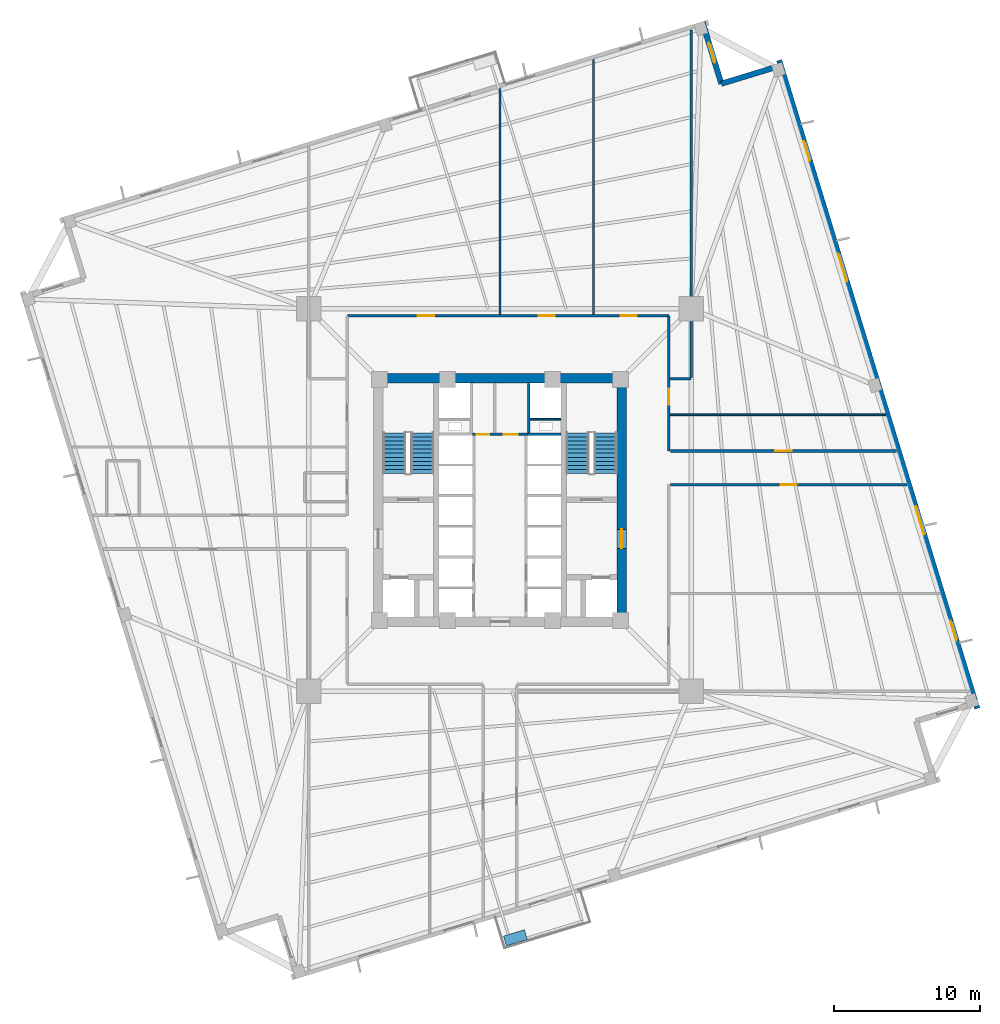
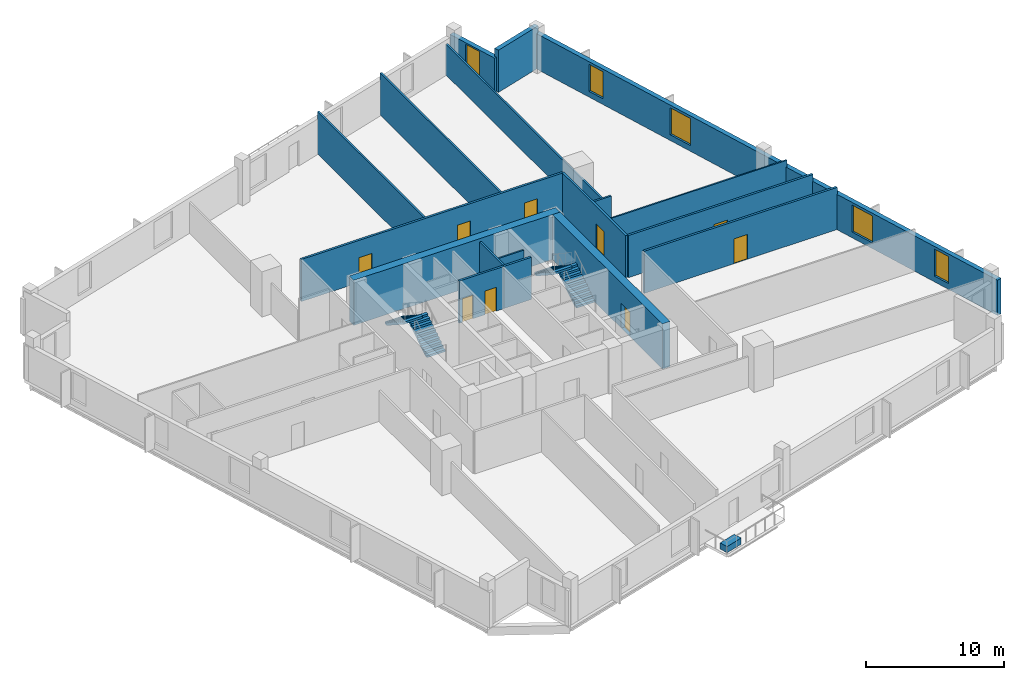
# One storey, part 5 of 9: 18 walls, 9 doors, 5 windows, 4 stair flights, 1 discrete accessory, 14 openings, 2 elements without a shape of their own.
"""IFC4 building model written with IfcOpenShell, lengths in metres."""

import ifcopenshell
import ifcopenshell.guid

model = None  # the IFC model being written
_history = None  # IfcOwnerHistory: only IFC2X3 demands one
_inside = {}  # id of a spatial element -> (the spatial element, [elements in it])
_under = {}  # id of a project, library or spatial element -> (it, [spatial elements below it])
_declared = {}  # id of a project -> (the project, [libraries it declares])
_typed = {}  # id of a type object -> (the type object, [elements of that type])
_made_of = {}  # id of a material, layer set ... -> (it, [elements and type objects made of it])


def new_model(schema):
    """Start an empty IFC model of exactly this schema.

    Asked for "IFC4X3", IfcOpenShell would pick the latest addendum, in which some entities
    have other attributes; the version numbers below select the first issue.
    IFC2X3 requires an IfcOwnerHistory on every rooted entity: one is made here for all.
    """
    global model, _history
    if schema == "IFC4X3":
        model = ifcopenshell.file(schema_version=(4, 3, 0, 0))
    else:
        model = ifcopenshell.file(schema=schema)
    _inside.clear()
    _under.clear()
    _declared.clear()
    _typed.clear()
    _made_of.clear()
    _history = None
    if model.schema == "IFC2X3":
        org = make("IfcOrganization", Name="unknown")
        user = make(
            "IfcPersonAndOrganization",
            ThePerson=make("IfcPerson", FamilyName="unknown"),
            TheOrganization=org,
        )
        app = make(
            "IfcApplication",
            ApplicationDeveloper=org,
            Version="unknown",
            ApplicationFullName="unknown",
            ApplicationIdentifier="unknown",
        )
        _history = make(
            "IfcOwnerHistory",
            OwningUser=user,
            OwningApplication=app,
            ChangeAction="ADDED",
            CreationDate=0,
        )
    return model


def make(cls, **values):
    """One entity of the class cls with the attributes given. An attribute that is None is left unset."""
    return model.create_entity(
        cls, **{name: value for name, value in values.items() if value is not None}
    )


def rooted(cls, **values):
    """An entity with a GlobalId (a new one), such as an element, a storey or a relation."""
    return make(cls, GlobalId=ifcopenshell.guid.new(), OwnerHistory=_history, **values)


def si_unit(unit_type, name, prefix=None):
    """IfcSIUnit, for example si_unit("LENGTHUNIT", "METRE", prefix="MILLI")."""
    return make("IfcSIUnit", UnitType=unit_type, Prefix=prefix, Name=name)


def assignment(units):
    """IfcUnitAssignment: the units of a project."""
    return None if units is None else make("IfcUnitAssignment", Units=units)


def point(xyz):
    """IfcCartesianPoint."""
    return None if xyz is None else make("IfcCartesianPoint", Coordinates=xyz)


def direction(xyz):
    """IfcDirection."""
    return None if xyz is None else make("IfcDirection", DirectionRatios=xyz)


def frame(location, z_axis=None, x_axis=None):
    """IfcAxis2Placement3D, a coordinate frame: its origin and axes. An axis left out is left unset."""
    return make(
        "IfcAxis2Placement3D",
        Location=point(location),
        Axis=direction(z_axis),
        RefDirection=direction(x_axis),
    )


def frame_2d(location, x_axis=None):
    """IfcAxis2Placement2D, a coordinate frame in the plane: its origin and x axis."""
    return make(
        "IfcAxis2Placement2D", Location=point(location), RefDirection=direction(x_axis)
    )


def origin():
    """The frame at (0, 0, 0) with its axes left unset."""
    return frame((0.0, 0.0, 0.0))


def origin_2d():
    """The frame at (0, 0) in the plane with its x axis left unset."""
    return frame_2d((0.0, 0.0))


def place(relative_to, where):
    """IfcLocalPlacement: puts the frame where relative to a parent placement (None: the world)."""
    return make(
        "IfcLocalPlacement", PlacementRelTo=relative_to, RelativePlacement=where
    )


def context(
    kind, dimensions, precision=None, world=None, true_north=None, identifier=None
):
    """IfcGeometricRepresentationContext, for example the 3D "Model" context."""
    return make(
        "IfcGeometricRepresentationContext",
        ContextIdentifier=identifier,
        ContextType=kind,
        CoordinateSpaceDimension=dimensions,
        Precision=precision,
        WorldCoordinateSystem=world,
        TrueNorth=true_north,
    )


def subcontext(parent, identifier, kind, view, scale=None):
    """IfcGeometricRepresentationSubContext, for example "Body" below "Model"."""
    return make(
        "IfcGeometricRepresentationSubContext",
        ContextIdentifier=identifier,
        ContextType=kind,
        ParentContext=parent,
        TargetScale=scale,
        TargetView=view,
    )


def project(units=None, contexts=None):
    """IfcProject with its units and contexts."""
    return rooted(
        "IfcProject",
        Name="project",
        RepresentationContexts=contexts,
        UnitsInContext=assignment(units),
    )


def spatial(cls, under=None, at=None, **own):
    """A site, building, storey or space (cls), placed at a placement, below another one or the project."""
    s = rooted(cls, ObjectPlacement=at, **own)
    if under is not None:
        _under.setdefault(under.id(), (under, []))[1].append(s)
    return s


def polyline(points):
    """IfcPolyline through the points."""
    return make("IfcPolyline", Points=[point(p) for p in points])


def profile(cls, at=None, kind="AREA", **sizes):
    """A parametric profile (cls). Its sizes go by their IFC names, for example OverallWidth=200.0."""
    return make(cls, ProfileType=kind, Position=at, **sizes)


def rectangle(**sizes):
    """IfcRectangleProfileDef."""
    return profile("IfcRectangleProfileDef", **sizes)


def outline(outer, holes=None, kind="AREA"):
    """IfcArbitraryClosedProfileDef: a profile drawn as a closed curve; with holes, ...WithVoids."""
    if holes is None:
        return make("IfcArbitraryClosedProfileDef", ProfileType=kind, OuterCurve=outer)
    return make(
        "IfcArbitraryProfileDefWithVoids",
        ProfileType=kind,
        OuterCurve=outer,
        InnerCurves=holes,
    )


def extrude(swept, where, along, depth):
    """IfcExtrudedAreaSolid: the profile swept, set in the frame where, extruded along a direction by depth."""
    return make(
        "IfcExtrudedAreaSolid",
        SweptArea=swept,
        Position=where,
        ExtrudedDirection=direction(along),
        Depth=depth,
    )


def shape(context_of_items, identifier, shape_type, items):
    """IfcShapeRepresentation: the items that make up one representation, for example the "Body"."""
    return make(
        "IfcShapeRepresentation",
        ContextOfItems=context_of_items,
        RepresentationIdentifier=identifier,
        RepresentationType=shape_type,
        Items=items,
    )


def source(mapping_origin, context_of_items, identifier, shape_type, items):
    """IfcRepresentationMap: a shape defined once, which mapped items show again and again."""
    return make(
        "IfcRepresentationMap",
        MappingOrigin=mapping_origin,
        MappedRepresentation=shape(context_of_items, identifier, shape_type, items),
    )


def transform(
    local_origin,
    x_axis=None,
    y_axis=None,
    z_axis=None,
    scale=None,
    scale2=None,
    scale3=None,
    uniform=True,
):
    """IfcCartesianTransformationOperator3D, or its non-uniform kind. x_axis, y_axis, z_axis: its Axis1, 2, 3."""
    if uniform:
        return make(
            "IfcCartesianTransformationOperator3D",
            Axis1=direction(x_axis),
            Axis2=direction(y_axis),
            LocalOrigin=point(local_origin),
            Scale=scale,
            Axis3=direction(z_axis),
        )
    return make(
        "IfcCartesianTransformationOperator3DnonUniform",
        Axis1=direction(x_axis),
        Axis2=direction(y_axis),
        LocalOrigin=point(local_origin),
        Scale=scale,
        Axis3=direction(z_axis),
        Scale2=scale2,
        Scale3=scale3,
    )


def mapped(mapping_source, mapping_target):
    """IfcMappedItem: shows the shape of a source again, moved by a transform."""
    return make(
        "IfcMappedItem", MappingSource=mapping_source, MappingTarget=mapping_target
    )


def material(Name=None, Category=None):
    """IfcMaterial."""
    return make("IfcMaterial", Name=Name, Category=Category)


def layer(
    of_material, thickness, ventilated=None, Name=None, Category=None, Priority=None
):
    """IfcMaterialLayer: one layer of a wall or slab, of a material (None: an air gap)."""
    return make(
        "IfcMaterialLayer",
        Material=of_material,
        LayerThickness=thickness,
        IsVentilated=ventilated,
        Name=Name,
        Category=Category,
        Priority=Priority,
    )


def layer_set(layers, Name=None):
    """IfcMaterialLayerSet."""
    return make("IfcMaterialLayerSet", MaterialLayers=layers, LayerSetName=Name)


def made_of(thing, what):
    """Note that an element or type object is made of a material, layer set ...; save() writes the relation."""
    if what is not None:
        _made_of.setdefault(what.id(), (what, []))[1].append(thing)
    return thing


def type_object(cls, material=None, **own):
    """A type object (cls), such as IfcWallType, which elements share."""
    return made_of(rooted(cls, **own), material)


def element(
    cls,
    number,
    at=None,
    inside=None,
    cuts=None,
    type_object=None,
    material=None,
    context=None,
    identifier="Body",
    shape_type=None,
    held_by="IfcProductDefinitionShape",
    body=None,
    shapes=None,
    **own,
):
    """One element of the class cls, such as IfcWall. Its Tag is "e" and its number.

    at: its placement. inside: the storey or other place that contains it. cuts: it is an
    opening in that element (IfcRelVoidsElement). A single representation is given by context,
    identifier, shape_type and body (its items); several are given by shapes. held_by: the class
    of the entity that holds the representations. save() writes the other relations.
    """
    e = rooted(cls, Tag="e%d" % number, ObjectPlacement=at, **own)
    if body is not None:
        shapes = [shape(context, identifier, shape_type, body)]
    if shapes is not None:
        e.Representation = make(held_by, Representations=shapes)
    if inside is not None:
        _inside.setdefault(inside.id(), (inside, []))[1].append(e)
    if cuts is not None:
        rooted(
            "IfcRelVoidsElement", RelatingBuildingElement=cuts, RelatedOpeningElement=e
        )
    if type_object is not None:
        _typed.setdefault(type_object.id(), (type_object, []))[1].append(e)
    return made_of(e, material)


def fill(opening, filler):
    """IfcRelFillsElement: the door or window that sits in an opening."""
    return rooted(
        "IfcRelFillsElement",
        RelatingOpeningElement=opening,
        RelatedBuildingElement=filler,
    )


def aggregate(whole, parts):
    """IfcRelAggregates: a whole, such as a stair, and the parts it consists of."""
    return rooted("IfcRelAggregates", RelatingObject=whole, RelatedObjects=parts)


def save(model, path):
    """Write the relations noted so far, then the file.

    IfcRelAggregates (storeys below a building ...), IfcRelContainedInSpatialStructure (elements
    in a storey), IfcRelDefinesByType, IfcRelAssociatesMaterial and IfcRelDeclares: one each for
    every whole, place, type object, material and project.
    """
    for whole, parts in _under.values():
        aggregate(whole, parts)
    for where, things in _inside.values():
        rooted(
            "IfcRelContainedInSpatialStructure",
            RelatedElements=things,
            RelatingStructure=where,
        )
    for kind, things in _typed.values():
        rooted("IfcRelDefinesByType", RelatedObjects=things, RelatingType=kind)
    for what, things in _made_of.values():
        rooted("IfcRelAssociatesMaterial", RelatedObjects=things, RelatingMaterial=what)
    for by, libraries in _declared.values():
        rooted("IfcRelDeclares", RelatingContext=by, RelatedDefinitions=libraries)
    model.write(path)


model = new_model("IFC4")

# Units and contexts
model_context = context("Model", 3, precision=1e-05, world=origin(), true_north=direction((0.0, 1.0)))
body_context = subcontext(model_context, "Body", "Model", "MODEL_VIEW")
ifc_project = project(units=[si_unit("LENGTHUNIT", "METRE"), si_unit("AREAUNIT", "SQUARE_METRE"), si_unit("VOLUMEUNIT", "CUBIC_METRE"), si_unit("PLANEANGLEUNIT", "RADIAN"), si_unit("MASSUNIT", "GRAM", prefix="KILO"), si_unit("THERMODYNAMICTEMPERATUREUNIT", "KELVIN")], contexts=[model_context])

# Site, building, storey
site_placement = place(None, origin())
site = spatial("IfcSite", under=ifc_project, at=site_placement, CompositionType="ELEMENT")
building_placement = place(site_placement, origin())
building = spatial("IfcBuilding", under=site, at=building_placement, Name="Kosmvard Interchange Tower", CompositionType="ELEMENT")
storey_placement = place(building_placement, frame((0.0, 0.0, 127.199951171875)))
storey = spatial("IfcBuildingStorey", under=building, at=storey_placement, Name="L30", CompositionType="ELEMENT", Elevation=127.199951171875)

# Walls
ifc_material_1 = material(Name="Acoustic gypsum partition system")
ifc_layer_1 = layer(ifc_material_1, 0.14990234375, Name="Acoustic gypsum partition system")
ifc_layer_set_1 = layer_set([ifc_layer_1], Name="Acoustic gypsum partition system")
wall_type_1 = type_object("IfcWallType", Name="Acoustic Suite & Meeting Partition 150", PredefinedType="PARTITIONING", material=ifc_layer_set_1)
wall_1_placement = place(storey_placement, frame((0.0, 12.695068359375, 0.0), z_axis=(0.0, 0.0, 1.0), x_axis=(0.0, 1.0, 0.0)))
element("IfcWall", 1, at=wall_1_placement, inside=storey, type_object=wall_type_1, Name="L30 Room Partition 03.1", PredefinedType="PARTITIONING", context=body_context, shape_type="SweptSolid", body=[
    extrude(rectangle(XDim=15.470703125, YDim=0.14990234375, at=frame_2d((7.7353515625, 0.0))), origin(), (0.0, 0.0, 1.0), 3.739990234375),
])
wall_2_placement = place(storey_placement, frame((6.39990234375, 12.695068359375, 0.0), z_axis=(0.0, 0.0, 1.0), x_axis=(0.0, 1.0, 0.0)))
element("IfcWall", 2, at=wall_2_placement, inside=storey, type_object=wall_type_1, Name="L30 Room Partition 04.1", PredefinedType="PARTITIONING", context=body_context, shape_type="SweptSolid", body=[
    extrude(rectangle(XDim=17.42724609375, YDim=0.14990234375, at=frame_2d((8.713623046875, 0.0))), origin(), (0.0, 0.0, 1.0), 3.739990234375),
])
wall_3_placement = place(storey_placement, frame((11.64501953125, 8.300048828125, 0.0), z_axis=(0.0, 0.0, 1.0), x_axis=(1.0, 0.0, 0.0)))
element("IfcWall", 3, at=wall_3_placement, inside=storey, type_object=wall_type_1, Name="L30 Room Partition 05.1", PredefinedType="PARTITIONING", context=body_context, shape_type="SweptSolid", body=[
    extrude(rectangle(XDim=1.43603515625, YDim=0.14990234375, at=frame_2d((0.718017578125, 0.0))), origin(), (0.0, 0.0, 1.0), 3.739990234375),
])
wall_4_placement = place(storey_placement, frame((13.0810546875, 8.375, 0.0), z_axis=(0.0, 0.0, 1.0), x_axis=(0.0, 1.0, 0.0)))
element("IfcWall", 4, at=wall_4_placement, inside=storey, type_object=wall_type_1, Name="L30 Room Partition 06.1", PredefinedType="PARTITIONING", context=body_context, shape_type="SweptSolid", body=[
    extrude(rectangle(XDim=23.7900390625, YDim=0.14990234375, at=frame_2d((11.89501953125, 0.0))), origin(), (0.0, 0.0, 1.0), 2.73193359375),
])
ifc_material_2 = material(Name="Fire-rated gypsum partition system")
ifc_layer_2 = layer(ifc_material_2, 0.159912109375, Name="Fire-rated gypsum partition system")
ifc_layer_set_2 = layer_set([ifc_layer_2], Name="Fire-rated gypsum partition system")
wall_type_2 = type_object("IfcWallType", Name="Core Compartment & Shuttle Lobby Partition 160", PredefinedType="PARTITIONING", material=ifc_layer_set_2)
wall_5_placement = place(storey_placement, frame((1.9599609375, 4.580078125, 0.0), z_axis=(0.0, 0.0, 1.0), x_axis=(0.0, 1.0, 0.0)))
element("IfcWall", 5, at=wall_5_placement, inside=storey, type_object=wall_type_2, Name="L30 North Core East Wall", PredefinedType="PARTITIONING", context=body_context, shape_type="SweptSolid", body=[
    extrude(rectangle(XDim=3.39990234375, YDim=0.159912109375, at=frame_2d((1.699951171875, 0.0))), origin(), (0.0, 0.0, 1.0), 3.739990234375),
])

# Wall, openings, doors
ifc_layer_3 = layer(ifc_material_2, 0.179931640625, Name="Fire-rated gypsum partition system")
ifc_layer_set_3 = layer_set([ifc_layer_3], Name="Fire-rated gypsum partition system")
wall_type_3 = type_object("IfcWallType", Name="Corridor & Hotel Compartment Partition 180", PredefinedType="PARTITIONING", material=ifc_layer_set_3)
wall_6_placement = place(storey_placement, frame((-1.8798828125, 4.489990234375, 0.0), z_axis=(0.0, 0.0, 1.0), x_axis=(1.0, 0.0, 0.0)))
wall_6 = element("IfcWall", 6, at=wall_6_placement, inside=storey, type_object=wall_type_3, Name="L30 Lift Lobby North Partition", PredefinedType="PARTITIONING", context=body_context, shape_type="SweptSolid", body=[
    extrude(rectangle(XDim=3.759765625, YDim=0.179931640625, at=frame_2d((1.8798828125, 0.0))), origin(), (0.0, 0.0, 1.0), 3.739990234375),
])
opening_1_placement = place(wall_6_placement, frame((0.280029296875, 0.0, 0.0)))
opening_1 = element("IfcOpeningElement", 7, at=opening_1_placement, cuts=wall_6, Name="Opening L30-KD1", PredefinedType="OPENING", context=body_context, shape_type="SweptSolid", body=[
    extrude(rectangle(XDim=0.8798828125, YDim=2.10009765625, at=frame_2d((0.43994140625, 1.050048828125))), frame((0.0, 0.10009765625, 0.0), z_axis=(0.0, -1.0, 0.0), x_axis=(1.0, 0.0, 0.0)), (0.0, 0.0, 1.0), 0.199951171875),
])
opening_2_placement = place(wall_6_placement, frame((2.14990234375, 0.0, 0.0)))
opening_2 = element("IfcOpeningElement", 8, at=opening_2_placement, cuts=wall_6, Name="Opening L30-KD2", PredefinedType="OPENING", context=body_context, shape_type="SweptSolid", body=[
    extrude(rectangle(XDim=0.949951171875, YDim=2.10009765625, at=frame_2d((0.47509765625, 1.050048828125))), frame((0.0, 0.10009765625, 0.0), z_axis=(0.0, -1.0, 0.0), x_axis=(1.0, 0.0, 0.0)), (0.0, 0.0, 1.0), 0.199951171875),
])
ifc_material_3 = material(Name="Painted fire-rated timber leaf", Category="wood")
door_type_1 = type_object("IfcDoorType", Name="Core Service Fire Door 950x2100 EI30", OperationType="NOTDEFINED", PredefinedType="DOOR", material=ifc_material_3)
shared_shape_1 = source(origin(), body_context, "Body", "SweptSolid", [
    extrude(rectangle(XDim=0.949951171875, YDim=2.10009765625, at=frame_2d((0.47509765625, 1.050048828125))), frame((0.0, 0.02490234375, 0.0), z_axis=(0.0, -1.0, 0.0), x_axis=(1.0, 0.0, 0.0)), (0.0, 0.0, 1.0), 0.050048828125),
])
door_1_placement = place(opening_2_placement, origin())
door_1 = element("IfcDoor", 9, at=door_1_placement, inside=storey, type_object=door_type_1, Name="L30 Core Tea Pantry Door", OperationType="SINGLE_SWING_RIGHT", OverallHeight=2.10009765625, OverallWidth=0.949951171875, PredefinedType="DOOR", context=body_context, shape_type="MappedRepresentation", body=[
    mapped(shared_shape_1, transform((0.0, 0.0, 0.0), scale=1.0)),
])
fill(opening_2, door_1)
door_type_2 = type_object("IfcDoorType", Name="Core Cupboard Fire Door 880x2100 EI30", OperationType="NOTDEFINED", PredefinedType="DOOR", material=ifc_material_3)
shared_shape_2 = source(origin(), body_context, "Body", "SweptSolid", [
    extrude(rectangle(XDim=0.8798828125, YDim=2.10009765625, at=frame_2d((0.43994140625, 1.050048828125))), frame((0.0, 0.02490234375, 0.0), z_axis=(0.0, -1.0, 0.0), x_axis=(1.0, 0.0, 0.0)), (0.0, 0.0, 1.0), 0.050048828125),
])
door_2_placement = place(opening_1_placement, origin())
door_2 = element("IfcDoor", 10, at=door_2_placement, inside=storey, type_object=door_type_2, Name="L30 Core Cleaner Cupboard Door", OperationType="SINGLE_SWING_LEFT", OverallHeight=2.10009765625, OverallWidth=0.8798828125, PredefinedType="DOOR", context=body_context, shape_type="MappedRepresentation", body=[
    mapped(shared_shape_2, transform((0.0, 0.0, 0.0), scale=1.0)),
])
fill(opening_1, door_2)

wall_7_placement = place(storey_placement, frame((-10.449951171875, 12.60009765625, 0.0), z_axis=(0.0, 0.0, 1.0), x_axis=(1.0, 0.0, 0.0)))
wall_7 = element("IfcWall", 11, at=wall_7_placement, inside=storey, type_object=wall_type_3, Name="L30 Corridor Wall CN", PredefinedType="PARTITIONING", context=body_context, shape_type="SweptSolid", body=[
    extrude(rectangle(XDim=22.0, YDim=0.179931640625, at=frame_2d((11.0, 0.0))), origin(), (0.0, 0.0, 1.0), 3.739990234375),
])
opening_3_placement = place(wall_7_placement, frame((4.83935546875, 0.0, 0.0)))
opening_3 = element("IfcOpeningElement", 12, at=opening_3_placement, cuts=wall_7, Name="Opening L30-D05", PredefinedType="OPENING", context=body_context, shape_type="SweptSolid", body=[
    extrude(rectangle(XDim=1.10009765625, YDim=2.199951171875, at=frame_2d((0.550048828125, 1.10009765625))), frame((0.0, 0.10009765625, 0.0), z_axis=(0.0, -1.0, 0.0), x_axis=(1.0, 0.0, 0.0)), (0.0, 0.0, 1.0), 0.199951171875),
])
opening_4_placement = place(wall_7_placement, frame((13.10009765625, 0.0, 0.0)))
opening_4 = element("IfcOpeningElement", 13, at=opening_4_placement, cuts=wall_7, Name="Opening L30-D06", PredefinedType="OPENING", context=body_context, shape_type="SweptSolid", body=[
    extrude(rectangle(XDim=1.10009765625, YDim=2.199951171875, at=frame_2d((0.550048828125, 1.10009765625))), frame((0.0, 0.10009765625, 0.0), z_axis=(0.0, -1.0, 0.0), x_axis=(1.0, 0.0, 0.0)), (0.0, 0.0, 1.0), 0.199951171875),
])
opening_5_placement = place(wall_7_placement, frame((18.71044921875, 0.0, 0.0)))
opening_5 = element("IfcOpeningElement", 14, at=opening_5_placement, cuts=wall_7, Name="Opening L30-D07", PredefinedType="OPENING", context=body_context, shape_type="SweptSolid", body=[
    extrude(rectangle(XDim=1.10009765625, YDim=2.199951171875, at=frame_2d((0.550048828125, 1.10009765625))), frame((0.0, 0.10009765625, 0.0), z_axis=(0.0, -1.0, 0.0), x_axis=(1.0, 0.0, 0.0)), (0.0, 0.0, 1.0), 0.199951171875),
])
ifc_material_4 = material(Name="Engineered oak fire-rated timber", Category="wood")
door_type_3 = type_object("IfcDoorType", Name="Office Suite Entrance Door 1100x2200 FD30S", OperationType="NOTDEFINED", PredefinedType="DOOR", material=ifc_material_4)
shared_shape_3 = source(origin(), body_context, "Body", "SweptSolid", [
    extrude(rectangle(XDim=1.10009765625, YDim=2.199951171875, at=frame_2d((0.550048828125, 1.10009765625))), frame((0.0, 0.02490234375, 0.0), z_axis=(0.0, -1.0, 0.0), x_axis=(1.0, 0.0, 0.0)), (0.0, 0.0, 1.0), 0.050048828125),
])
door_3_placement = place(opening_3_placement, origin())
door_3 = element("IfcDoor", 15, at=door_3_placement, inside=storey, type_object=door_type_3, Name="L30 Training Seminar Room 1 Door", OperationType="SINGLE_SWING_LEFT", OverallHeight=2.199951171875, OverallWidth=1.10009765625, PredefinedType="DOOR", context=body_context, shape_type="MappedRepresentation", body=[
    mapped(shared_shape_3, transform((0.0, 0.0, 0.0), scale=1.0)),
])
fill(opening_3, door_3)
door_4_placement = place(opening_4_placement, origin())
door_4 = element("IfcDoor", 16, at=door_4_placement, inside=storey, type_object=door_type_3, Name="L30 Conference Room 2 Door", OperationType="SINGLE_SWING_RIGHT", OverallHeight=2.199951171875, OverallWidth=1.10009765625, PredefinedType="DOOR", context=body_context, shape_type="MappedRepresentation", body=[
    mapped(shared_shape_3, transform((0.0, 0.0, 0.0), scale=1.0)),
])
fill(opening_4, door_4)
door_5_placement = place(opening_5_placement, origin())
door_5 = element("IfcDoor", 17, at=door_5_placement, inside=storey, type_object=door_type_3, Name="L30 Huddle Briefing Room 3 Door", OperationType="SINGLE_SWING_LEFT", OverallHeight=2.199951171875, OverallWidth=1.10009765625, PredefinedType="DOOR", context=body_context, shape_type="MappedRepresentation", body=[
    mapped(shared_shape_3, transform((0.0, 0.0, 0.0), scale=1.0)),
])
fill(opening_5, door_5)

# Wall, opening, door
wall_8_placement = place(storey_placement, frame((11.550048828125, 3.35009765625, 0.0), z_axis=(0.0, 0.0, 1.0), x_axis=(0.0, 1.0, 0.0)))
wall_8 = element("IfcWall", 18, at=wall_8_placement, inside=storey, type_object=wall_type_3, Name="L30 Corridor Wall CEN", PredefinedType="PARTITIONING", context=body_context, shape_type="SweptSolid", body=[
    extrude(rectangle(XDim=9.25, YDim=0.179931640625, at=frame_2d((4.625, 0.0))), origin(), (0.0, 0.0, 1.0), 3.739990234375),
])
opening_6_placement = place(wall_8_placement, frame((3.16259765625, 0.0, 0.0)))
opening_6 = element("IfcOpeningElement", 19, at=opening_6_placement, cuts=wall_8, Name="Opening L30-D09", PredefinedType="OPENING", context=body_context, shape_type="SweptSolid", body=[
    extrude(rectangle(XDim=1.10009765625, YDim=2.199951171875, at=frame_2d((0.550048828125, 1.10009765625))), frame((0.0, 0.10009765625, 0.0), z_axis=(0.0, -1.0, 0.0), x_axis=(1.0, 0.0, 0.0)), (0.0, 0.0, 1.0), 0.199951171875),
])
door_6_placement = place(opening_6_placement, frame((1.10009765625, 0.0, 0.0), z_axis=(0.0, 0.0, 1.0), x_axis=(-1.0, 0.0, 0.0)))
door_6 = element("IfcDoor", 20, at=door_6_placement, inside=storey, type_object=door_type_3, Name="L30 East Legal Office 2 Door", OperationType="SINGLE_SWING_LEFT", OverallHeight=2.199951171875, OverallWidth=1.10009765625, PredefinedType="DOOR", context=body_context, shape_type="MappedRepresentation", body=[
    mapped(shared_shape_3, transform((0.0, 0.0, 0.0), scale=1.0)),
])
fill(opening_6, door_6)

wall_9_placement = place(storey_placement, frame((11.64990234375, 1.050048828125, 0.0), z_axis=(0.0, 0.0, 1.0), x_axis=(1.0, 0.0, 0.0)))
wall_9 = element("IfcWall", 21, at=wall_9_placement, inside=storey, type_object=wall_type_3, Name="L30 Corridor Wall SES", PredefinedType="PARTITIONING", context=body_context, shape_type="SweptSolid", body=[
    extrude(rectangle(XDim=16.19482421875, YDim=0.179931640625, at=frame_2d((8.097412109375, 0.0))), origin(), (0.0, 0.0, 1.0), 3.739990234375),
])
opening_7_placement = place(wall_9_placement, frame((7.54736328125, 0.0, 0.0)))
opening_7 = element("IfcOpeningElement", 22, at=opening_7_placement, cuts=wall_9, Name="Opening L30-D10", PredefinedType="OPENING", context=body_context, shape_type="SweptSolid", body=[
    extrude(rectangle(XDim=1.10009765625, YDim=2.199951171875, at=frame_2d((0.550048828125, 1.10009765625))), frame((0.0, 0.10009765625, 0.0), z_axis=(0.0, -1.0, 0.0), x_axis=(1.0, 0.0, 0.0)), (0.0, 0.0, 1.0), 0.199951171875),
])
door_7_placement = place(opening_7_placement, frame((1.10009765625, 0.0, 0.0), z_axis=(0.0, 0.0, 1.0), x_axis=(-1.0, 0.0, 0.0)))
door_7 = element("IfcDoor", 23, at=door_7_placement, inside=storey, type_object=door_type_3, Name="L30 Staff Changing Showers Door", OperationType="SINGLE_SWING_RIGHT", OverallHeight=2.199951171875, OverallWidth=1.10009765625, PredefinedType="DOOR", context=body_context, shape_type="MappedRepresentation", body=[
    mapped(shared_shape_3, transform((0.0, 0.0, 0.0), scale=1.0)),
])
fill(opening_7, door_7)

wall_10_placement = place(storey_placement, frame((11.64990234375, 3.35009765625, 0.0), z_axis=(0.0, 0.0, 1.0), x_axis=(1.0, 0.0, 0.0)))
wall_10 = element("IfcWall", 24, at=wall_10_placement, inside=storey, type_object=wall_type_3, Name="L30 Corridor Wall SEN", PredefinedType="PARTITIONING", context=body_context, shape_type="SweptSolid", body=[
    extrude(rectangle(XDim=15.49169921875, YDim=0.179931640625, at=frame_2d((7.745849609375, 0.0))), origin(), (0.0, 0.0, 1.0), 3.739990234375),
])
opening_8_placement = place(wall_10_placement, frame((7.19580078125, 0.0, 0.0)))
opening_8 = element("IfcOpeningElement", 25, at=opening_8_placement, cuts=wall_10, Name="Opening L30-D08", PredefinedType="OPENING", context=body_context, shape_type="SweptSolid", body=[
    extrude(rectangle(XDim=1.10009765625, YDim=2.199951171875, at=frame_2d((0.550048828125, 1.10009765625))), frame((0.0, 0.10009765625, 0.0), z_axis=(0.0, -1.0, 0.0), x_axis=(1.0, 0.0, 0.0)), (0.0, 0.0, 1.0), 0.199951171875),
])
door_8_placement = place(opening_8_placement, origin())
door_8 = element("IfcDoor", 26, at=door_8_placement, inside=storey, type_object=door_type_3, Name="L30 East Legal Office 1 Door", OperationType="SINGLE_SWING_RIGHT", OverallHeight=2.199951171875, OverallWidth=1.10009765625, PredefinedType="DOOR", context=body_context, shape_type="MappedRepresentation", body=[
    mapped(shared_shape_3, transform((0.0, 0.0, 0.0), scale=1.0)),
])
fill(opening_8, door_8)

# Wall, openings, windows
ifc_material_5 = material(Name="Precast concrete C45/55", Category="concrete")
ifc_layer_4 = layer(ifc_material_5, 0.3798828125, Name="Precast concrete C45/55")
ifc_layer_set_4 = layer_set([ifc_layer_4], Name="Precast concrete C45/55")
wall_type_4 = type_object("IfcWallType", Name="Lower Tower Precast Pier Wall 380 C45/55", PredefinedType="STANDARD", material=ifc_layer_set_4)
wall_11_placement = place(storey_placement, frame((32.65771484375, -14.26513671875, 0.0), z_axis=(0.0, 0.0, 1.0), x_axis=(-0.292373127906, 0.956304320851, 0.0)))
wall_11 = element("IfcWall", 27, at=wall_11_placement, inside=storey, type_object=wall_type_4, Name="L30 Precast Facade Wall F-E", PredefinedType="STANDARD", context=body_context, shape_type="SweptSolid", body=[
    extrude(rectangle(XDim=46.380126953125, YDim=0.3798828125, at=frame_2d((23.18994140625, 0.0))), origin(), (0.0, 0.0, 1.0), 3.14013671875),
])
opening_9_placement = place(wall_11_placement, frame((4.865478515625, 0.0, 0.510009765625)))
opening_9 = element("IfcOpeningElement", 28, at=opening_9_placement, cuts=wall_11, Name="Opening L30-W06", PredefinedType="OPENING", context=body_context, shape_type="SweptSolid", body=[
    extrude(rectangle(XDim=1.39990234375, YDim=2.39990234375, at=frame_2d((0.699951171875, 1.199951171875))), frame((0.0, 0.199951171875, 0.0), z_axis=(0.0, -1.0, 0.0), x_axis=(1.0, 0.0, 0.0)), (0.0, 0.0, 1.0), 0.39990234375),
])
opening_10_placement = place(wall_11_placement, frame((12.4501953125, 0.0, 0.510009765625)))
opening_10 = element("IfcOpeningElement", 29, at=opening_10_placement, cuts=wall_11, Name="Opening L30-W07", PredefinedType="OPENING", context=body_context, shape_type="SweptSolid", body=[
    extrude(rectangle(XDim=2.0, YDim=2.39990234375, at=frame_2d((1.0, 1.199951171875))), frame((0.0, 0.199951171875, 0.0), z_axis=(0.0, -1.0, 0.0), x_axis=(1.0, 0.0, 0.0)), (0.0, 0.0, 1.0), 0.39990234375),
])
opening_11_placement = place(wall_11_placement, frame((30.538330078125, 0.0, 0.510009765625)))
opening_11 = element("IfcOpeningElement", 30, at=opening_11_placement, cuts=wall_11, Name="Opening L30-W08", PredefinedType="OPENING", context=body_context, shape_type="SweptSolid", body=[
    extrude(rectangle(XDim=2.0, YDim=2.39990234375, at=frame_2d((1.0, 1.199951171875))), frame((0.0, 0.199951171875, 0.0), z_axis=(0.0, -1.0, 0.0), x_axis=(1.0, 0.0, 0.0)), (0.0, 0.0, 1.0), 0.39990234375),
])
opening_12_placement = place(wall_11_placement, frame((39.186767578125, 0.0, 0.510009765625)))
opening_12 = element("IfcOpeningElement", 31, at=opening_12_placement, cuts=wall_11, Name="Opening L30-W09", PredefinedType="OPENING", context=body_context, shape_type="SweptSolid", body=[
    extrude(rectangle(XDim=1.39990234375, YDim=2.39990234375, at=frame_2d((0.699951171875, 1.199951171875))), frame((0.0, 0.199951171875, 0.0), z_axis=(0.0, -1.0, 0.0), x_axis=(1.0, 0.0, 0.0)), (0.0, 0.0, 1.0), 0.39990234375),
])
ifc_material_6 = material(Name="Low-E solar-control double glazing", Category="glass")
window_type_1 = type_object("IfcWindowType", Name="Notched Corner Feature Window 1400x2400", PartitioningType="SINGLE_PANEL", PredefinedType="WINDOW", material=ifc_material_6)
shared_shape_4 = source(origin(), body_context, "Body", "SweptSolid", [
    extrude(rectangle(XDim=1.39990234375, YDim=2.39990234375, at=frame_2d((0.699951171875, 1.199951171875))), frame((0.0, 0.030029296875, 0.0), z_axis=(0.0, -1.0, 0.0), x_axis=(1.0, 0.0, 0.0)), (0.0, 0.0, 1.0), 0.06005859375),
])
window_1_placement = place(opening_9_placement, origin())
window_1 = element("IfcWindow", 32, at=window_1_placement, inside=storey, type_object=window_type_1, Name="L30 Facade Punched Window 06", OverallHeight=2.39990234375, OverallWidth=1.39990234375, PartitioningType="SINGLE_PANEL", PredefinedType="WINDOW", context=body_context, shape_type="MappedRepresentation", body=[
    mapped(shared_shape_4, transform((0.0, 0.0, 0.0), scale=1.0)),
])
fill(opening_9, window_1)
window_2_placement = place(opening_12_placement, origin())
window_2 = element("IfcWindow", 33, at=window_2_placement, inside=storey, type_object=window_type_1, Name="L30 Facade Punched Window 09", OverallHeight=2.39990234375, OverallWidth=1.39990234375, PartitioningType="SINGLE_PANEL", PredefinedType="WINDOW", context=body_context, shape_type="MappedRepresentation", body=[
    mapped(shared_shape_4, transform((0.0, 0.0, 0.0), scale=1.0)),
])
fill(opening_12, window_2)
window_type_2 = type_object("IfcWindowType", Name="Zone 2 Office Punched Window 2000x2400", PartitioningType="SINGLE_PANEL", PredefinedType="WINDOW", material=ifc_material_6)
shared_shape_5 = source(origin(), body_context, "Body", "SweptSolid", [
    extrude(rectangle(XDim=2.0, YDim=2.39990234375, at=frame_2d((1.0, 1.199951171875))), frame((0.0, 0.030029296875, 0.0), z_axis=(0.0, -1.0, 0.0), x_axis=(1.0, 0.0, 0.0)), (0.0, 0.0, 1.0), 0.06005859375),
])
window_3_placement = place(opening_10_placement, origin())
window_3 = element("IfcWindow", 34, at=window_3_placement, inside=storey, type_object=window_type_2, Name="L30 Facade Punched Window 07", OverallHeight=2.39990234375, OverallWidth=2.0, PartitioningType="SINGLE_PANEL", PredefinedType="WINDOW", context=body_context, shape_type="MappedRepresentation", body=[
    mapped(shared_shape_5, transform((0.0, 0.0, 0.0), scale=1.0)),
])
fill(opening_10, window_3)
window_4_placement = place(opening_11_placement, origin())
window_4 = element("IfcWindow", 35, at=window_4_placement, inside=storey, type_object=window_type_2, Name="L30 Facade Punched Window 08", OverallHeight=2.39990234375, OverallWidth=2.0, PartitioningType="SINGLE_PANEL", PredefinedType="WINDOW", context=body_context, shape_type="MappedRepresentation", body=[
    mapped(shared_shape_5, transform((0.0, 0.0, 0.0), scale=1.0)),
])
fill(opening_11, window_4)

# Wall
wall_12_placement = place(storey_placement, frame((19.20849609375, 29.724853515625, 0.0), z_axis=(0.0, 0.0, 1.0), x_axis=(-0.956312764915, -0.292345507338, 0.0)))
element("IfcWall", 36, at=wall_12_placement, inside=storey, type_object=wall_type_4, Name="L30 Precast Facade Wall N-NE1", PredefinedType="STANDARD", context=body_context, shape_type="SweptSolid", body=[
    extrude(rectangle(XDim=4.249755859375, YDim=0.3798828125, at=frame_2d((2.125, 0.0))), origin(), (0.0, 0.0, 1.0), 3.739990234375),
])

# Wall, opening, window
wall_13_placement = place(storey_placement, frame((15.144287109375, 28.482421875, 0.0), z_axis=(0.0, 0.0, 1.0), x_axis=(-0.292373601522, 0.956304176051, 0.0)))
wall_13 = element("IfcWall", 37, at=wall_13_placement, inside=storey, type_object=wall_type_4, Name="L30 Precast Facade Wall N-NE2", PredefinedType="STANDARD", context=body_context, shape_type="SweptSolid", body=[
    extrude(rectangle(XDim=4.43994140625, YDim=0.3798828125, at=frame_2d((2.219970703125, 0.0))), origin(), (0.0, 0.0, 1.0), 3.0400390625),
])
opening_13_placement = place(wall_13_placement, frame((1.52001953125, 0.0, 0.510009765625)))
opening_13 = element("IfcOpeningElement", 38, at=opening_13_placement, cuts=wall_13, Name="Opening L30-W21", PredefinedType="OPENING", context=body_context, shape_type="SweptSolid", body=[
    extrude(rectangle(XDim=1.39990234375, YDim=2.39990234375, at=frame_2d((0.699951171875, 1.199951171875))), frame((0.0, 0.199951171875, 0.0), z_axis=(0.0, -1.0, 0.0), x_axis=(1.0, 0.0, 0.0)), (0.0, 0.0, 1.0), 0.39990234375),
])
window_5_placement = place(opening_13_placement, origin())
window_5 = element("IfcWindow", 39, at=window_5_placement, inside=storey, type_object=window_type_1, Name="L30 Corner Notch Window 21", OverallHeight=2.39990234375, OverallWidth=1.39990234375, PartitioningType="SINGLE_PANEL", PredefinedType="WINDOW", context=body_context, shape_type="MappedRepresentation", body=[
    mapped(shared_shape_4, transform((0.0, 0.0, 0.0), scale=1.0)),
])
fill(opening_13, window_5)

# Wall
ifc_material_7 = material(Name="Concrete C70/85", Category="concrete")
ifc_layer_5 = layer(ifc_material_7, 0.64990234375, Name="Concrete C70/85")
ifc_layer_set_5 = layer_set([ifc_layer_5], Name="Concrete C70/85")
wall_type_5 = type_object("IfcWallType", Name="Mid Core Shear Wall 650 C70/85", PredefinedType="SHEAR", material=ifc_layer_set_5)
wall_14_placement = place(storey_placement, frame((-8.64990234375, 8.324951171875, 0.0), z_axis=(0.0, 0.0, 1.0), x_axis=(1.0, 0.0, 0.0)))
element("IfcWall", 40, at=wall_14_placement, inside=storey, type_object=wall_type_5, Name="L30 Core Shear Wall CW-N", PredefinedType="SHEAR", context=body_context, shape_type="SweptSolid", body=[
    extrude(rectangle(XDim=17.2998046875, YDim=0.64990234375, at=frame_2d((8.64990234375, 0.0))), origin(), (0.0, 0.0, 1.0), 4.0),
])

# Wall, opening, door
wall_15_placement = place(storey_placement, frame((8.324951171875, -8.0, 0.0), z_axis=(0.0, 0.0, 1.0), x_axis=(0.0, 1.0, 0.0)))
wall_15 = element("IfcWall", 41, at=wall_15_placement, inside=storey, type_object=wall_type_5, Name="L30 Core Shear Wall CW-E", PredefinedType="SHEAR", context=body_context, shape_type="SweptSolid", body=[
    extrude(rectangle(XDim=16.0, YDim=0.64990234375, at=frame_2d((8.0, 0.0))), origin(), (0.0, 0.0, 1.0), 4.0),
])
opening_14_placement = place(wall_15_placement, frame((4.68994140625, 0.0, 0.0)))
opening_14 = element("IfcOpeningElement", 42, at=opening_14_placement, cuts=wall_15, Name="Opening L30-FD2", PredefinedType="OPENING", context=body_context, shape_type="SweptSolid", body=[
    extrude(rectangle(XDim=1.300048828125, YDim=2.199951171875, at=frame_2d((0.64990234375, 1.10009765625))), frame((0.0, 0.3349609375, 0.0), z_axis=(0.0, -1.0, 0.0), x_axis=(1.0, 0.0, 0.0)), (0.0, 0.0, 1.0), 0.669921875),
])
ifc_material_8 = material(Name="Painted fire-rated steel leaf", Category="steel")
door_type_4 = type_object("IfcDoorType", Name="Firefighting Lobby Door 1300x2200 EI60", OperationType="NOTDEFINED", PredefinedType="DOOR", material=ifc_material_8)
shared_shape_6 = source(origin(), body_context, "Body", "SweptSolid", [
    extrude(rectangle(XDim=1.300048828125, YDim=2.199951171875, at=frame_2d((0.64990234375, 1.10009765625))), frame((0.0, 0.02490234375, 0.0), z_axis=(0.0, -1.0, 0.0), x_axis=(1.0, 0.0, 0.0)), (0.0, 0.0, 1.0), 0.050048828125),
])
door_9_placement = place(opening_14_placement, origin())
door_9 = element("IfcDoor", 43, at=door_9_placement, inside=storey, type_object=door_type_4, Name="L30 Firefighting Lobby East Door", OperationType="SINGLE_SWING_RIGHT", OverallHeight=2.199951171875, OverallWidth=1.300048828125, PredefinedType="DOOR", context=body_context, shape_type="MappedRepresentation", body=[
    mapped(shared_shape_6, transform((0.0, 0.0, 0.0), scale=1.0)),
])
fill(opening_14, door_9)

# Walls
ifc_material_9 = material(Name="Gypsum board partition system")
ifc_layer_6 = layer(ifc_material_9, 0.1201171875, Name="Gypsum board partition system")
ifc_layer_set_6 = layer_set([ifc_layer_6], Name="Gypsum board partition system")
wall_type_6 = type_object("IfcWallType", Name="Office Cellular Partition 120", PredefinedType="PARTITIONING", material=ifc_layer_set_6)
wall_16_placement = place(storey_placement, frame((11.64501953125, 5.824951171875, 0.0), z_axis=(0.0, 0.0, 1.0), x_axis=(1.0, 0.0, 0.0)))
element("IfcWall", 44, at=wall_16_placement, inside=storey, type_object=wall_type_6, Name="L30 Room Partition 08.1", PredefinedType="PARTITIONING", context=body_context, shape_type="SweptSolid", body=[
    extrude(rectangle(XDim=14.73974609375, YDim=0.1201171875, at=frame_2d((7.369873046875, 0.0))), origin(), (0.0, 0.0, 1.0), 3.739990234375),
])
ifc_material_10 = material(Name="Concrete blockwork masonry", Category="masonry")
ifc_layer_7 = layer(ifc_material_10, 0.179931640625, Name="Concrete blockwork masonry")
ifc_layer_set_7 = layer_set([ifc_layer_7], Name="Concrete blockwork masonry")
wall_type_7 = type_object("IfcWallType", Name="Riser & Lift Bank Divider Wall 180", PredefinedType="PARTITIONING", material=ifc_layer_set_7)
wall_17_placement = place(storey_placement, frame((1.889892578125, 4.489990234375, 0.0), z_axis=(0.0, 0.0, 1.0), x_axis=(1.0, 0.0, 0.0)))
element("IfcWall", 45, at=wall_17_placement, inside=storey, type_object=wall_type_7, Name="L30 East Bank Divider BD3", PredefinedType="PARTITIONING", context=body_context, shape_type="SweptSolid", body=[
    extrude(rectangle(XDim=2.280029296875, YDim=0.179931640625, at=frame_2d((1.14013671875, 0.0))), origin(), (0.0, 0.0, 1.0), 3.739990234375),
])
ifc_material_11 = material(Name="Fire-rated gypsum shaftwall system")
ifc_layer_8 = layer(ifc_material_11, 0.1201171875, Name="Fire-rated gypsum shaftwall system")
ifc_layer_set_8 = layer_set([ifc_layer_8], Name="Fire-rated gypsum shaftwall system")
wall_type_8 = type_object("IfcWallType", Name="Shaft & Riser Fire Partition 120 EI60", PredefinedType="PARTITIONING", material=ifc_layer_set_8)
wall_18_placement = place(storey_placement, frame((2.06005859375, 5.52001953125, 0.0), z_axis=(0.0, 0.0, 1.0), x_axis=(1.0, 0.0, 0.0)))
element("IfcWall", 46, at=wall_18_placement, inside=storey, type_object=wall_type_8, Name="L30 Riser Shaft Divider E", PredefinedType="PARTITIONING", context=body_context, shape_type="SweptSolid", body=[
    extrude(rectangle(XDim=2.099853515625, YDim=0.1201171875, at=frame_2d((1.0498046875, 0.0))), origin(), (0.0, 0.0, 1.0), 3.739990234375),
])

# Stair, stair flights
ifc_material_12 = material(Name="Concrete C50/60", Category="concrete")
stair_type = type_object("IfcStairType", Name="Dog-Leg Core Exit Stair H4000 C50/60", PredefinedType="HALF_TURN_STAIR", material=ifc_material_12)
stair_1_placement = place(storey_placement, origin())
stair_1 = element("IfcStair", 47, at=stair_1_placement, inside=storey, type_object=stair_type, Name="L30 Protected Exit Stair ST-1", PredefinedType="HALF_TURN_STAIR")
stair_flight_type = type_object("IfcStairFlightType", Name="Core Stair Flight W1550 H4000 C50/60", PredefinedType="STRAIGHT", material=ifc_material_12)
shared_shape_7 = source(origin(), body_context, "Body", "SweptSolid", [
    extrude(outline(polyline([(0.0, 0.0), (0.0, 0.181884765625), (0.280029296875, 0.181884765625), (0.280029296875, 0.363525390625), (0.56005859375, 0.363525390625), (0.56005859375, 0.54541015625), (0.840087890625, 0.54541015625), (0.840087890625, 0.727294921875), (1.1201171875, 0.727294921875), (1.1201171875, 0.9091796875), (1.39990234375, 0.9091796875), (1.39990234375, 1.0908203125), (1.679931640625, 1.0908203125), (1.679931640625, 1.272705078125), (1.9599609375, 1.272705078125), (1.9599609375, 1.45458984375), (2.239990234375, 1.45458984375), (2.239990234375, 1.636474609375), (2.52001953125, 1.636474609375), (2.52001953125, 1.818115234375), (2.800048828125, 1.818115234375), (2.800048828125, 2.0), (2.800048828125, 1.62744140625), (0.293701171875, 0.0), (0.0, 0.0)])), frame((0.0, 0.77490234375, 0.0), z_axis=(0.0, -1.0, 0.0), x_axis=(1.0, 0.0, 0.0)), (0.0, 0.0, 1.0), 1.550048828125),
])
stair_flight_1_placement = place(storey_placement, frame((-5.31494140625, 1.800048828125, 0.0), z_axis=(0.0, 0.0, 1.0), x_axis=(0.0, 1.0, 0.0)))
stair_flight_1 = element("IfcStairFlight", 48, at=stair_flight_1_placement, type_object=stair_flight_type, Name="ST-1 flight 1", NumberOfRisers=11, NumberOfTreads=10, PredefinedType="STRAIGHT", RiserHeight=0.181818182, TreadLength=0.28, context=body_context, shape_type="MappedRepresentation", body=[
    mapped(shared_shape_7, transform((0.0, 0.0, 0.0), scale=1.0)),
])
stair_flight_2_placement = place(storey_placement, frame((-7.22509765625, 4.60009765625, 2.0), z_axis=(0.0, 0.0, 1.0), x_axis=(0.0, -1.0, 0.0)))
stair_flight_2 = element("IfcStairFlight", 49, at=stair_flight_2_placement, type_object=stair_flight_type, Name="ST-1 flight 2", NumberOfRisers=11, NumberOfTreads=10, PredefinedType="STRAIGHT", RiserHeight=0.181818182, TreadLength=0.28, context=body_context, shape_type="MappedRepresentation", body=[
    mapped(shared_shape_7, transform((0.0, 0.0, 0.0), scale=1.0)),
])
aggregate(stair_1, [stair_flight_1, stair_flight_2])

stair_2_placement = place(storey_placement, origin())
stair_2 = element("IfcStair", 50, at=stair_2_placement, inside=storey, type_object=stair_type, Name="L30 Protected Exit Stair ST-2", PredefinedType="HALF_TURN_STAIR")
stair_flight_3_placement = place(storey_placement, frame((7.22509765625, 1.800048828125, 0.0), z_axis=(0.0, 0.0, 1.0), x_axis=(0.0, 1.0, 0.0)))
stair_flight_3 = element("IfcStairFlight", 51, at=stair_flight_3_placement, type_object=stair_flight_type, Name="ST-2 flight 1", NumberOfRisers=11, NumberOfTreads=10, PredefinedType="STRAIGHT", RiserHeight=0.181818182, TreadLength=0.28, context=body_context, shape_type="MappedRepresentation", body=[
    mapped(shared_shape_7, transform((0.0, 0.0, 0.0), scale=1.0)),
])
stair_flight_4_placement = place(storey_placement, frame((5.31494140625, 4.60009765625, 2.0), z_axis=(0.0, 0.0, 1.0), x_axis=(0.0, -1.0, 0.0)))
stair_flight_4 = element("IfcStairFlight", 52, at=stair_flight_4_placement, type_object=stair_flight_type, Name="ST-2 flight 2", NumberOfRisers=11, NumberOfTreads=10, PredefinedType="STRAIGHT", RiserHeight=0.181818182, TreadLength=0.28, context=body_context, shape_type="MappedRepresentation", body=[
    mapped(shared_shape_7, transform((0.0, 0.0, 0.0), scale=1.0)),
])
aggregate(stair_2, [stair_flight_3, stair_flight_4])

# Discrete accessory
ifc_material_13 = material(Name="Terracotta precast planter concrete C45/55", Category="masonry")
discrete_accessory_type = type_object("IfcDiscreteAccessoryType", Name="Precast Tree-Balcony & Terrace Planter Box", PredefinedType="USERDEFINED", material=ifc_material_13)
shared_shape_8 = source(origin(), body_context, "Body", "SweptSolid", [
    extrude(rectangle(XDim=1.5, YDim=0.699951171875, at=origin_2d()), origin(), (0.0, 0.0, 1.0), 0.550048828125),
])
discrete_accessory_placement = place(storey_placement, frame((1.052734375, -29.950927734375, 0.0), z_axis=(0.0, 0.0, 1.0), x_axis=(0.956304755963, 0.292371704723, 0.0)))
element("IfcDiscreteAccessory", 53, at=discrete_accessory_placement, inside=storey, type_object=discrete_accessory_type, Name="L30 Balcony Tree Planter BAL-L30-S", ObjectType="PLANTER", PredefinedType="USERDEFINED", context=body_context, shape_type="MappedRepresentation", body=[
    mapped(shared_shape_8, transform((0.0, 0.0, 0.0), scale=1.0)),
])

save(model, "model.ifc")
